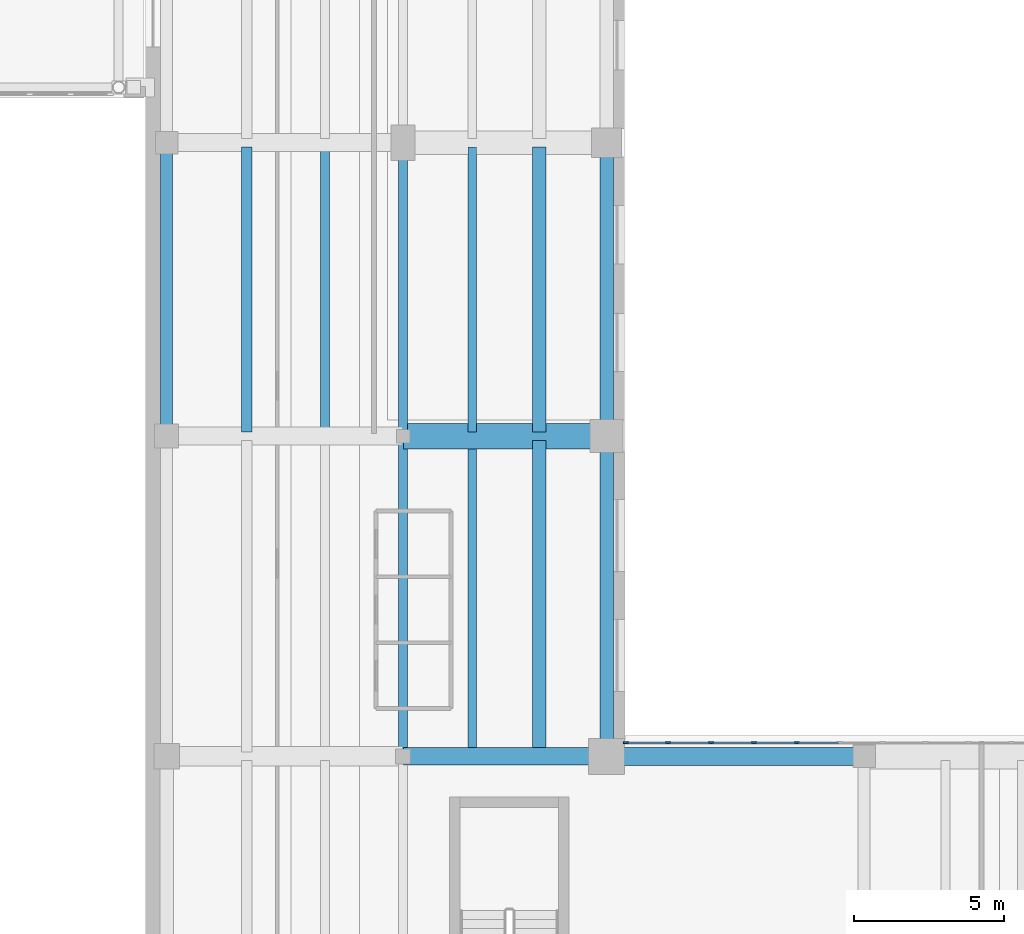
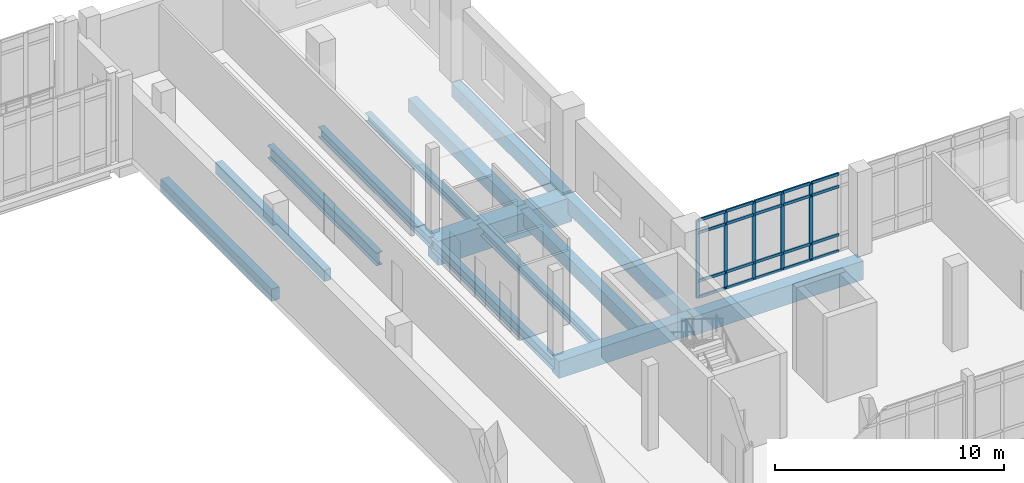
# One storey, part 18 of 89: 25 members, 14 beams, 1 element without a shape of its own.
"""IFC4 building model written with IfcOpenShell, lengths in metres."""

from ifc_helpers import new_model, si_unit, direction, frame, origin, origin_2d, place, context, subcontext, project, spatial, rectangle, i_section, extrude, material, material_profile, profile_set, type_object, element, aggregate, save


model = new_model("IFC4")

# Units and contexts
model_context = context("Model", 3, precision=1e-05, world=origin(), true_north=direction((0.0, 1.0)))
body_context = subcontext(model_context, "Body", "Model", "MODEL_VIEW")
ifc_project = project(units=[si_unit("LENGTHUNIT", "METRE"), si_unit("AREAUNIT", "SQUARE_METRE"), si_unit("VOLUMEUNIT", "CUBIC_METRE"), si_unit("PLANEANGLEUNIT", "RADIAN"), si_unit("MASSUNIT", "GRAM", prefix="KILO")], contexts=[model_context])

# Site, building, storey
site_placement = place(None, origin())
site = spatial("IfcSite", under=ifc_project, at=site_placement, CompositionType="ELEMENT")
building_placement = place(site_placement, origin())
building = spatial("IfcBuilding", under=site, at=building_placement, Name="Soyqirgoq Riverine Aquarium", CompositionType="ELEMENT")
storey_placement = place(building_placement, frame((0.0, 0.0, 5.39990234375)))
storey = spatial("IfcBuildingStorey", under=building, at=storey_placement, Name="L02", CompositionType="ELEMENT", Elevation=5.39990234375)

# Beams
ifc_material_1 = material(Name="Concrete C40/50", Category="concrete")
ifc_material_profile_1 = material_profile(ifc_material_1, rectangle(XDim=0.35009765625, YDim=0.60009765625, at=origin_2d()), Name="RC 350x600")
ifc_profile_set_1 = profile_set([ifc_material_profile_1], Name="Concrete C40/50")
beam_type_1 = type_object("IfcBeamType", Name="Beam_RC_350x600", PredefinedType="JOIST", material=ifc_profile_set_1)
beam_1_placement = place(storey_placement, frame((117.385986328125, 28.639892578125, -0.64990234375), z_axis=(0.0, 1.0, 0.0), x_axis=(-1.0, 0.0, 0.0)))
element("IfcBeam", 1, at=beam_1_placement, inside=storey, type_object=beam_type_1, Name="V6 L02 Secondary Bay Joist 1146", PredefinedType="JOIST", context=body_context, shape_type="SweptSolid", body=[
    extrude(rectangle(XDim=0.35009765625, YDim=0.60009765625, at=origin_2d()), origin(), (0.0, 0.0, 1.0), 9.52001953125),
])
ifc_material_2 = material(Name="Concrete C40/50", Category="concrete")
ifc_material_profile_2 = material_profile(ifc_material_2, rectangle(XDim=0.39990234375, YDim=0.64990234375, at=origin_2d()), Name="RC 400x650")
ifc_profile_set_2 = profile_set([ifc_material_profile_2], Name="Concrete C40/50")
beam_type_2 = type_object("IfcBeamType", Name="Beam_RC_400x650", PredefinedType="BEAM", material=ifc_profile_set_2)
beam_2_placement = place(storey_placement, frame((114.699951171875, 28.550048828125, -0.6748046875), z_axis=(0.0, 1.0, 0.0), x_axis=(-1.0, 0.0, 0.0)))
element("IfcBeam", 2, at=beam_2_placement, inside=storey, type_object=beam_type_2, Name="V6 L02 North-South Frame Beam 1088", PredefinedType="BEAM", context=body_context, shape_type="SweptSolid", body=[
    extrude(rectangle(XDim=0.39990234375, YDim=0.64990234375, at=origin_2d()), origin(), (0.0, 0.0, 1.0), 9.699951171875),
])
ifc_material_3 = material(Name="Concrete C40/50", Category="concrete")
ifc_material_profile_3 = material_profile(ifc_material_3, rectangle(XDim=0.449951171875, YDim=0.699951171875, at=origin_2d()), Name="RC 450x700")
ifc_profile_set_3 = profile_set([ifc_material_profile_3], Name="Concrete C40/50")
beam_type_3 = type_object("IfcBeamType", Name="Beam_RC_450x700", PredefinedType="BEAM", material=ifc_profile_set_3)
beam_3_placement = place(storey_placement, frame((127.156005859375, 17.93994140625, -0.699951171875), z_axis=(0.0, 1.0, 0.0), x_axis=(-1.0, 0.0, 0.0)))
element("IfcBeam", 3, at=beam_3_placement, inside=storey, type_object=beam_type_3, Name="V6 L02 Secondary Bay Joist 1145", PredefinedType="BEAM", context=body_context, shape_type="SweptSolid", body=[
    extrude(rectangle(XDim=0.449951171875, YDim=0.699951171875, at=origin_2d()), origin(), (0.0, 0.0, 1.0), 10.420166015625),
])
beam_4_placement = place(storey_placement, frame((127.156005859375, 28.639892578125, -0.699951171875), z_axis=(0.0, 1.0, 0.0), x_axis=(-1.0, 0.0, 0.0)))
element("IfcBeam", 4, at=beam_4_placement, inside=storey, type_object=beam_type_3, Name="V6 L02 Secondary Bay Joist 1149", PredefinedType="BEAM", context=body_context, shape_type="SweptSolid", body=[
    extrude(rectangle(XDim=0.449951171875, YDim=0.699951171875, at=origin_2d()), origin(), (0.0, 0.0, 1.0), 9.52001953125),
])
ifc_material_4 = material(Name="Concrete C40/50", Category="concrete")
ifc_material_profile_4 = material_profile(ifc_material_4, rectangle(XDim=0.449951171875, YDim=0.75, at=origin_2d()), Name="RC 450x750")
ifc_profile_set_4 = profile_set([ifc_material_profile_4], Name="Concrete C40/50")
beam_type_4 = type_object("IfcBeamType", Name="Beam_RC_450x750", PredefinedType="BEAM", material=ifc_profile_set_4)
beam_5_placement = place(storey_placement, frame((129.39990234375, 28.550048828125, -0.724853515625), z_axis=(0.0, 1.0, 0.0), x_axis=(-1.0, 0.0, 0.0)))
element("IfcBeam", 5, at=beam_5_placement, inside=storey, type_object=beam_type_4, Name="V6 L02 North-South Frame Beam 1110", PredefinedType="BEAM", context=body_context, shape_type="SweptSolid", body=[
    extrude(rectangle(XDim=0.449951171875, YDim=0.75, at=origin_2d()), origin(), (0.0, 0.0, 1.0), 9.699951171875),
])
ifc_material_5 = material(Name="Concrete C40/50", Category="concrete")
ifc_material_profile_5 = material_profile(ifc_material_5, rectangle(XDim=0.449951171875, YDim=0.800048828125, at=origin_2d()), Name="RC 450x800")
ifc_profile_set_5 = profile_set([ifc_material_profile_5], Name="Concrete C40/50")
beam_type_5 = type_object("IfcBeamType", Name="Beam_RC_450x800", PredefinedType="BEAM", material=ifc_profile_set_5)
beam_6_placement = place(storey_placement, frame((129.39990234375, 17.85009765625, -0.75), z_axis=(0.0, 1.0, 0.0), x_axis=(-1.0, 0.0, 0.0)))
element("IfcBeam", 6, at=beam_6_placement, inside=storey, type_object=beam_type_5, Name="V6 L02 North-South Frame Beam 1108", PredefinedType="BEAM", context=body_context, shape_type="SweptSolid", body=[
    extrude(rectangle(XDim=0.449951171875, YDim=0.800048828125, at=origin_2d()), origin(), (0.0, 0.0, 1.0), 10.599853515625),
])

# Curtain wall, members
ifc_material_6 = material(Name="Anodised aluminium thermally broken gallery curtain wall", Category="aluminium")
curtain_wall_type = type_object("IfcCurtainWallType", Name="CW_Pavilion_Ribbon", PredefinedType="NOTDEFINED", material=ifc_material_6)
curtain_wall_placement = place(storey_placement, origin())
curtain_wall = element("IfcCurtainWall", 7, at=curtain_wall_placement, inside=storey, type_object=curtain_wall_type, Name="V6 L02 Curtain Wall 112", PredefinedType="NOTDEFINED")
ifc_material_7 = material(Name="Anodised aluminium 6063-T6", Category="aluminium")
ifc_material_profile_6 = material_profile(ifc_material_7, rectangle(XDim=0.06494140625, YDim=0.179931640625, at=origin_2d()), Name="ALU-M 65x180")
ifc_profile_set_6 = profile_set([ifc_material_profile_6], Name="Anodised aluminium 6063-T6")
member_type_1 = type_object("IfcMemberType", Name="CWMullion_65x180", PredefinedType="MULLION", material=ifc_profile_set_6)
member_1_placement = place(storey_placement, frame((130.052490234375, 18.25, 0.0), z_axis=(0.0, 0.0, 1.0), x_axis=(0.0, 1.0, 0.0)))
member_1 = element("IfcMember", 8, at=member_1_placement, type_object=member_type_1, Name="CW-05 mullion 1", PredefinedType="MULLION", context=body_context, shape_type="SweptSolid", body=[
    extrude(rectangle(XDim=0.06494140625, YDim=0.179931640625, at=origin_2d()), origin(), (0.0, 0.0, 1.0), 4.170166015625),
])
member_2_placement = place(storey_placement, frame((131.453125, 18.25, 0.0), z_axis=(0.0, 0.0, 1.0), x_axis=(0.0, 1.0, 0.0)))
member_2 = element("IfcMember", 9, at=member_2_placement, type_object=member_type_1, Name="CW-05 mullion 2", PredefinedType="MULLION", context=body_context, shape_type="SweptSolid", body=[
    extrude(rectangle(XDim=0.06494140625, YDim=0.179931640625, at=origin_2d()), origin(), (0.0, 0.0, 1.0), 4.170166015625),
])
member_3_placement = place(storey_placement, frame((132.885986328125, 18.25, 0.0), z_axis=(0.0, 0.0, 1.0), x_axis=(0.0, 1.0, 0.0)))
member_3 = element("IfcMember", 10, at=member_3_placement, type_object=member_type_1, Name="CW-05 mullion 3", PredefinedType="MULLION", context=body_context, shape_type="SweptSolid", body=[
    extrude(rectangle(XDim=0.06494140625, YDim=0.179931640625, at=origin_2d()), origin(), (0.0, 0.0, 1.0), 4.170166015625),
])
member_4_placement = place(storey_placement, frame((134.319091796875, 18.25, 0.0), z_axis=(0.0, 0.0, 1.0), x_axis=(0.0, 1.0, 0.0)))
member_4 = element("IfcMember", 11, at=member_4_placement, type_object=member_type_1, Name="CW-05 mullion 4", PredefinedType="MULLION", context=body_context, shape_type="SweptSolid", body=[
    extrude(rectangle(XDim=0.06494140625, YDim=0.179931640625, at=origin_2d()), origin(), (0.0, 0.0, 1.0), 4.170166015625),
])
member_5_placement = place(storey_placement, frame((135.752197265625, 18.25, 0.0), z_axis=(0.0, 0.0, 1.0), x_axis=(0.0, 1.0, 0.0)))
member_5 = element("IfcMember", 12, at=member_5_placement, type_object=member_type_1, Name="CW-05 mullion 5", PredefinedType="MULLION", context=body_context, shape_type="SweptSolid", body=[
    extrude(rectangle(XDim=0.06494140625, YDim=0.179931640625, at=origin_2d()), origin(), (0.0, 0.0, 1.0), 4.170166015625),
])
ifc_material_8 = material(Name="Anodised aluminium 6063-T6", Category="aluminium")
ifc_material_profile_7 = material_profile(ifc_material_8, rectangle(XDim=0.074951171875, YDim=0.14990234375, at=origin_2d()), Name="ALU-T 75x150")
ifc_profile_set_7 = profile_set([ifc_material_profile_7], Name="Anodised aluminium 6063-T6")
member_type_2 = type_object("IfcMemberType", Name="CWTransom_75x150", PredefinedType="USERDEFINED", material=ifc_profile_set_7)
member_6_placement = place(storey_placement, frame((130.0849609375, 18.25, 0.03759765625), z_axis=(1.0, 0.0, 0.0), x_axis=(0.0, 1.0, 0.0)))
member_6 = element("IfcMember", 13, at=member_6_placement, type_object=member_type_2, Name="CW-05 transom 1.1", ObjectType="TRANSOM", PredefinedType="USERDEFINED", context=body_context, shape_type="SweptSolid", body=[
    extrude(rectangle(XDim=0.074951171875, YDim=0.14990234375, at=origin_2d()), origin(), (0.0, 0.0, 1.0), 1.335693359375),
])
member_7_placement = place(storey_placement, frame((130.0849609375, 18.25, 0.900146484375), z_axis=(1.0, 0.0, 0.0), x_axis=(0.0, 1.0, 0.0)))
member_7 = element("IfcMember", 14, at=member_7_placement, type_object=member_type_2, Name="CW-05 transom 1.2", ObjectType="TRANSOM", PredefinedType="USERDEFINED", context=body_context, shape_type="SweptSolid", body=[
    extrude(rectangle(XDim=0.074951171875, YDim=0.14990234375, at=origin_2d()), origin(), (0.0, 0.0, 1.0), 1.335693359375),
])
member_8_placement = place(storey_placement, frame((130.0849609375, 18.25, 3.47021484375), z_axis=(1.0, 0.0, 0.0), x_axis=(0.0, 1.0, 0.0)))
member_8 = element("IfcMember", 15, at=member_8_placement, type_object=member_type_2, Name="CW-05 transom 1.3", ObjectType="TRANSOM", PredefinedType="USERDEFINED", context=body_context, shape_type="SweptSolid", body=[
    extrude(rectangle(XDim=0.074951171875, YDim=0.14990234375, at=origin_2d()), origin(), (0.0, 0.0, 1.0), 1.335693359375),
])
member_9_placement = place(storey_placement, frame((130.0849609375, 18.25, 4.132568359375), z_axis=(1.0, 0.0, 0.0), x_axis=(0.0, 1.0, 0.0)))
member_9 = element("IfcMember", 16, at=member_9_placement, type_object=member_type_2, Name="CW-05 transom 1.4", ObjectType="TRANSOM", PredefinedType="USERDEFINED", context=body_context, shape_type="SweptSolid", body=[
    extrude(rectangle(XDim=0.074951171875, YDim=0.14990234375, at=origin_2d()), origin(), (0.0, 0.0, 1.0), 1.335693359375),
])
member_10_placement = place(storey_placement, frame((131.485595703125, 18.25, 0.03759765625), z_axis=(1.0, 0.0, 0.0), x_axis=(0.0, 1.0, 0.0)))
member_10 = element("IfcMember", 17, at=member_10_placement, type_object=member_type_2, Name="CW-05 transom 2.1", ObjectType="TRANSOM", PredefinedType="USERDEFINED", context=body_context, shape_type="SweptSolid", body=[
    extrude(rectangle(XDim=0.074951171875, YDim=0.14990234375, at=origin_2d()), origin(), (0.0, 0.0, 1.0), 1.367919921875),
])
member_11_placement = place(storey_placement, frame((131.485595703125, 18.25, 0.900146484375), z_axis=(1.0, 0.0, 0.0), x_axis=(0.0, 1.0, 0.0)))
member_11 = element("IfcMember", 18, at=member_11_placement, type_object=member_type_2, Name="CW-05 transom 2.2", ObjectType="TRANSOM", PredefinedType="USERDEFINED", context=body_context, shape_type="SweptSolid", body=[
    extrude(rectangle(XDim=0.074951171875, YDim=0.14990234375, at=origin_2d()), origin(), (0.0, 0.0, 1.0), 1.367919921875),
])
member_12_placement = place(storey_placement, frame((131.485595703125, 18.25, 3.47021484375), z_axis=(1.0, 0.0, 0.0), x_axis=(0.0, 1.0, 0.0)))
member_12 = element("IfcMember", 19, at=member_12_placement, type_object=member_type_2, Name="CW-05 transom 2.3", ObjectType="TRANSOM", PredefinedType="USERDEFINED", context=body_context, shape_type="SweptSolid", body=[
    extrude(rectangle(XDim=0.074951171875, YDim=0.14990234375, at=origin_2d()), origin(), (0.0, 0.0, 1.0), 1.367919921875),
])
member_13_placement = place(storey_placement, frame((131.485595703125, 18.25, 4.132568359375), z_axis=(1.0, 0.0, 0.0), x_axis=(0.0, 1.0, 0.0)))
member_13 = element("IfcMember", 20, at=member_13_placement, type_object=member_type_2, Name="CW-05 transom 2.4", ObjectType="TRANSOM", PredefinedType="USERDEFINED", context=body_context, shape_type="SweptSolid", body=[
    extrude(rectangle(XDim=0.074951171875, YDim=0.14990234375, at=origin_2d()), origin(), (0.0, 0.0, 1.0), 1.367919921875),
])
member_14_placement = place(storey_placement, frame((132.918701171875, 18.25, 0.03759765625), z_axis=(1.0, 0.0, 0.0), x_axis=(0.0, 1.0, 0.0)))
member_14 = element("IfcMember", 21, at=member_14_placement, type_object=member_type_2, Name="CW-05 transom 3.1", ObjectType="TRANSOM", PredefinedType="USERDEFINED", context=body_context, shape_type="SweptSolid", body=[
    extrude(rectangle(XDim=0.074951171875, YDim=0.14990234375, at=origin_2d()), origin(), (0.0, 0.0, 1.0), 1.367919921875),
])
member_15_placement = place(storey_placement, frame((132.918701171875, 18.25, 0.900146484375), z_axis=(1.0, 0.0, 0.0), x_axis=(0.0, 1.0, 0.0)))
member_15 = element("IfcMember", 22, at=member_15_placement, type_object=member_type_2, Name="CW-05 transom 3.2", ObjectType="TRANSOM", PredefinedType="USERDEFINED", context=body_context, shape_type="SweptSolid", body=[
    extrude(rectangle(XDim=0.074951171875, YDim=0.14990234375, at=origin_2d()), origin(), (0.0, 0.0, 1.0), 1.367919921875),
])
member_16_placement = place(storey_placement, frame((132.918701171875, 18.25, 3.47021484375), z_axis=(1.0, 0.0, 0.0), x_axis=(0.0, 1.0, 0.0)))
member_16 = element("IfcMember", 23, at=member_16_placement, type_object=member_type_2, Name="CW-05 transom 3.3", ObjectType="TRANSOM", PredefinedType="USERDEFINED", context=body_context, shape_type="SweptSolid", body=[
    extrude(rectangle(XDim=0.074951171875, YDim=0.14990234375, at=origin_2d()), origin(), (0.0, 0.0, 1.0), 1.367919921875),
])
member_17_placement = place(storey_placement, frame((132.918701171875, 18.25, 4.132568359375), z_axis=(1.0, 0.0, 0.0), x_axis=(0.0, 1.0, 0.0)))
member_17 = element("IfcMember", 24, at=member_17_placement, type_object=member_type_2, Name="CW-05 transom 3.4", ObjectType="TRANSOM", PredefinedType="USERDEFINED", context=body_context, shape_type="SweptSolid", body=[
    extrude(rectangle(XDim=0.074951171875, YDim=0.14990234375, at=origin_2d()), origin(), (0.0, 0.0, 1.0), 1.367919921875),
])
member_18_placement = place(storey_placement, frame((134.3515625, 18.25, 0.03759765625), z_axis=(1.0, 0.0, 0.0), x_axis=(0.0, 1.0, 0.0)))
member_18 = element("IfcMember", 25, at=member_18_placement, type_object=member_type_2, Name="CW-05 transom 4.1", ObjectType="TRANSOM", PredefinedType="USERDEFINED", context=body_context, shape_type="SweptSolid", body=[
    extrude(rectangle(XDim=0.074951171875, YDim=0.14990234375, at=origin_2d()), origin(), (0.0, 0.0, 1.0), 1.3681640625),
])
member_19_placement = place(storey_placement, frame((134.3515625, 18.25, 0.900146484375), z_axis=(1.0, 0.0, 0.0), x_axis=(0.0, 1.0, 0.0)))
member_19 = element("IfcMember", 26, at=member_19_placement, type_object=member_type_2, Name="CW-05 transom 4.2", ObjectType="TRANSOM", PredefinedType="USERDEFINED", context=body_context, shape_type="SweptSolid", body=[
    extrude(rectangle(XDim=0.074951171875, YDim=0.14990234375, at=origin_2d()), origin(), (0.0, 0.0, 1.0), 1.3681640625),
])
member_20_placement = place(storey_placement, frame((134.3515625, 18.25, 3.47021484375), z_axis=(1.0, 0.0, 0.0), x_axis=(0.0, 1.0, 0.0)))
member_20 = element("IfcMember", 27, at=member_20_placement, type_object=member_type_2, Name="CW-05 transom 4.3", ObjectType="TRANSOM", PredefinedType="USERDEFINED", context=body_context, shape_type="SweptSolid", body=[
    extrude(rectangle(XDim=0.074951171875, YDim=0.14990234375, at=origin_2d()), origin(), (0.0, 0.0, 1.0), 1.3681640625),
])
member_21_placement = place(storey_placement, frame((134.3515625, 18.25, 4.132568359375), z_axis=(1.0, 0.0, 0.0), x_axis=(0.0, 1.0, 0.0)))
member_21 = element("IfcMember", 28, at=member_21_placement, type_object=member_type_2, Name="CW-05 transom 4.4", ObjectType="TRANSOM", PredefinedType="USERDEFINED", context=body_context, shape_type="SweptSolid", body=[
    extrude(rectangle(XDim=0.074951171875, YDim=0.14990234375, at=origin_2d()), origin(), (0.0, 0.0, 1.0), 1.3681640625),
])
member_22_placement = place(storey_placement, frame((135.78466796875, 18.25, 0.03759765625), z_axis=(1.0, 0.0, 0.0), x_axis=(0.0, 1.0, 0.0)))
member_22 = element("IfcMember", 29, at=member_22_placement, type_object=member_type_2, Name="CW-05 transom 5.1", ObjectType="TRANSOM", PredefinedType="USERDEFINED", context=body_context, shape_type="SweptSolid", body=[
    extrude(rectangle(XDim=0.074951171875, YDim=0.14990234375, at=origin_2d()), origin(), (0.0, 0.0, 1.0), 1.3681640625),
])
member_23_placement = place(storey_placement, frame((135.78466796875, 18.25, 0.900146484375), z_axis=(1.0, 0.0, 0.0), x_axis=(0.0, 1.0, 0.0)))
member_23 = element("IfcMember", 30, at=member_23_placement, type_object=member_type_2, Name="CW-05 transom 5.2", ObjectType="TRANSOM", PredefinedType="USERDEFINED", context=body_context, shape_type="SweptSolid", body=[
    extrude(rectangle(XDim=0.074951171875, YDim=0.14990234375, at=origin_2d()), origin(), (0.0, 0.0, 1.0), 1.3681640625),
])
member_24_placement = place(storey_placement, frame((135.78466796875, 18.25, 3.47021484375), z_axis=(1.0, 0.0, 0.0), x_axis=(0.0, 1.0, 0.0)))
member_24 = element("IfcMember", 31, at=member_24_placement, type_object=member_type_2, Name="CW-05 transom 5.3", ObjectType="TRANSOM", PredefinedType="USERDEFINED", context=body_context, shape_type="SweptSolid", body=[
    extrude(rectangle(XDim=0.074951171875, YDim=0.14990234375, at=origin_2d()), origin(), (0.0, 0.0, 1.0), 1.3681640625),
])
member_25_placement = place(storey_placement, frame((135.78466796875, 18.25, 4.132568359375), z_axis=(1.0, 0.0, 0.0), x_axis=(0.0, 1.0, 0.0)))
member_25 = element("IfcMember", 32, at=member_25_placement, type_object=member_type_2, Name="CW-05 transom 5.4", ObjectType="TRANSOM", PredefinedType="USERDEFINED", context=body_context, shape_type="SweptSolid", body=[
    extrude(rectangle(XDim=0.074951171875, YDim=0.14990234375, at=origin_2d()), origin(), (0.0, 0.0, 1.0), 1.3681640625),
])
aggregate(curtain_wall, [member_1, member_2, member_3, member_4, member_5, member_6, member_7, member_8, member_9, member_10, member_11, member_12, member_13, member_14, member_15, member_16, member_17, member_18, member_19, member_20, member_21, member_22, member_23, member_24, member_25])

# Beams
ifc_material_9 = material(Name="Concrete C40/50", Category="concrete")
ifc_material_profile_8 = material_profile(ifc_material_9, rectangle(XDim=0.580078125, YDim=0.919921875, at=origin_2d()), Name="RC 580x920")
ifc_profile_set_8 = profile_set([ifc_material_profile_8], Name="Concrete C40/50")
beam_type_6 = type_object("IfcBeamType", Name="Girder_RC_580x920", PredefinedType="BEAM", material=ifc_profile_set_8)
beam_7_placement = place(storey_placement, frame((122.6201171875, 17.800048828125, -0.809814453125), z_axis=(1.0, 0.0, 0.0), x_axis=(0.0, 1.0, 0.0)))
element("IfcBeam", 33, at=beam_7_placement, inside=storey, type_object=beam_type_6, Name="V6 L02 East-West Frame Girder 1099", PredefinedType="BEAM", context=body_context, shape_type="SweptSolid", body=[
    extrude(rectangle(XDim=0.580078125, YDim=0.919921875, at=origin_2d()), origin(), (0.0, 0.0, 1.0), 6.759765625),
])
ifc_material_10 = material(Name="Concrete C40/50", Category="concrete")
ifc_material_profile_9 = material_profile(ifc_material_10, rectangle(XDim=0.60009765625, YDim=1.0, at=origin_2d()), Name="RC 600x1000")
ifc_profile_set_9 = profile_set([ifc_material_profile_9], Name="Concrete C40/50")
beam_type_7 = type_object("IfcBeamType", Name="Girder_RC_600x1000", PredefinedType="BEAM", material=ifc_profile_set_9)
beam_8_placement = place(storey_placement, frame((129.419921875, 17.800048828125, -0.849853515625), z_axis=(1.0, 0.0, 0.0), x_axis=(0.0, 1.0, 0.0)))
element("IfcBeam", 34, at=beam_8_placement, inside=storey, type_object=beam_type_7, Name="V6 L02 East-West Frame Girder 1109", PredefinedType="BEAM", context=body_context, shape_type="SweptSolid", body=[
    extrude(rectangle(XDim=0.60009765625, YDim=1.0, at=origin_2d()), origin(), (0.0, 0.0, 1.0), 8.56005859375),
])
ifc_material_11 = material(Name="Concrete C40/50", Category="concrete")
ifc_material_profile_10 = material_profile(ifc_material_11, rectangle(XDim=0.85009765625, YDim=1.300048828125, at=origin_2d()), Name="RC 850x1300")
ifc_profile_set_10 = profile_set([ifc_material_profile_10], Name="Concrete C40/50")
beam_type_8 = type_object("IfcBeamType", Name="Girder_RC_850x1300", PredefinedType="BEAM", material=ifc_profile_set_10)
beam_9_placement = place(storey_placement, frame((122.6201171875, 28.5, -1.0), z_axis=(1.0, 0.0, 0.0), x_axis=(0.0, 1.0, 0.0)))
element("IfcBeam", 35, at=beam_9_placement, inside=storey, type_object=beam_type_8, Name="V6 L02 East-West Frame Girder 1101", PredefinedType="BEAM", context=body_context, shape_type="SweptSolid", body=[
    extrude(rectangle(XDim=0.85009765625, YDim=1.300048828125, at=origin_2d()), origin(), (0.0, 0.0, 1.0), 6.759765625),
])
ifc_material_12 = material(Name="Structural steel S355", Category="steel")
ifc_material_profile_11 = material_profile(ifc_material_12, i_section(OverallWidth=0.300048828125, OverallDepth=0.43994140625, WebThickness=0.011474609375, FlangeThickness=0.02099609375, FilletRadius=0.027099609375, at=origin_2d()), Name="HEA 450")
ifc_profile_set_11 = profile_set([ifc_material_profile_11], Name="Structural steel S355")
beam_type_9 = type_object("IfcBeamType", Name="SteelBeam_HEA450", PredefinedType="BEAM", material=ifc_profile_set_11)
beam_10_placement = place(storey_placement, frame((124.912109375, 17.93994140625, -0.56982421875), z_axis=(0.0, 1.0, 0.0), x_axis=(-1.0, 0.0, 0.0)))
element("IfcBeam", 36, at=beam_10_placement, inside=storey, type_object=beam_type_9, Name="V6 L02 Secondary Bay Joist 1144", PredefinedType="BEAM", context=body_context, shape_type="SweptSolid", body=[
    extrude(i_section(OverallWidth=0.300048828125, OverallDepth=0.43994140625, WebThickness=0.011474609375, FlangeThickness=0.02099609375, FilletRadius=0.027099609375, at=origin_2d()), origin(), (0.0, 0.0, 1.0), 10.420166015625),
])
beam_11_placement = place(storey_placement, frame((124.912109375, 28.639892578125, -0.56982421875), z_axis=(0.0, 1.0, 0.0), x_axis=(-1.0, 0.0, 0.0)))
element("IfcBeam", 37, at=beam_11_placement, inside=storey, type_object=beam_type_9, Name="V6 L02 Secondary Bay Joist 1148", PredefinedType="BEAM", context=body_context, shape_type="SweptSolid", body=[
    extrude(i_section(OverallWidth=0.300048828125, OverallDepth=0.43994140625, WebThickness=0.011474609375, FlangeThickness=0.02099609375, FilletRadius=0.027099609375, at=origin_2d()), origin(), (0.0, 0.0, 1.0), 9.52001953125),
])
ifc_material_13 = material(Name="Structural steel S355", Category="steel")
ifc_material_profile_12 = material_profile(ifc_material_13, i_section(OverallWidth=0.300048828125, OverallDepth=0.5400390625, WebThickness=0.012451171875, FlangeThickness=0.02392578125, FilletRadius=0.027099609375, at=origin_2d()), Name="HEA 550")
ifc_profile_set_12 = profile_set([ifc_material_profile_12], Name="Structural steel S355")
beam_type_10 = type_object("IfcBeamType", Name="SteelBeam_HEA550", PredefinedType="BEAM", material=ifc_profile_set_12)
beam_12_placement = place(storey_placement, frame((122.60009765625, 28.550048828125, -0.619873046875), z_axis=(0.0, 1.0, 0.0), x_axis=(-1.0, 0.0, 0.0)))
element("IfcBeam", 38, at=beam_12_placement, inside=storey, type_object=beam_type_10, Name="V6 L02 North-South Frame Beam 1100", PredefinedType="BEAM", context=body_context, shape_type="SweptSolid", body=[
    extrude(i_section(OverallWidth=0.300048828125, OverallDepth=0.5400390625, WebThickness=0.012451171875, FlangeThickness=0.02392578125, FilletRadius=0.027099609375, at=origin_2d()), origin(), (0.0, 0.0, 1.0), 9.699951171875),
])
ifc_material_14 = material(Name="Structural steel S355", Category="steel")
ifc_material_profile_13 = material_profile(ifc_material_14, i_section(OverallWidth=0.300048828125, OverallDepth=0.590087890625, WebThickness=0.012939453125, FlangeThickness=0.02490234375, FilletRadius=0.027099609375, at=origin_2d()), Name="HEA 600")
ifc_profile_set_13 = profile_set([ifc_material_profile_13], Name="Structural steel S355")
beam_type_11 = type_object("IfcBeamType", Name="SteelBeam_HEA600", PredefinedType="BEAM", material=ifc_profile_set_13)
beam_13_placement = place(storey_placement, frame((122.60009765625, 17.85009765625, -0.64501953125), z_axis=(0.0, 1.0, 0.0), x_axis=(-1.0, 0.0, 0.0)))
element("IfcBeam", 39, at=beam_13_placement, inside=storey, type_object=beam_type_11, Name="V6 L02 North-South Frame Beam 1098", PredefinedType="BEAM", context=body_context, shape_type="SweptSolid", body=[
    extrude(i_section(OverallWidth=0.300048828125, OverallDepth=0.590087890625, WebThickness=0.012939453125, FlangeThickness=0.02490234375, FilletRadius=0.027099609375, at=origin_2d()), origin(), (0.0, 0.0, 1.0), 10.599853515625),
])
ifc_material_15 = material(Name="Structural steel S355", Category="steel")
ifc_material_profile_14 = material_profile(ifc_material_15, i_section(OverallWidth=0.300048828125, OverallDepth=0.68994140625, WebThickness=0.014404296875, FlangeThickness=0.027099609375, FilletRadius=0.027099609375, at=origin_2d()), Name="HEA 700")
ifc_profile_set_14 = profile_set([ifc_material_profile_14], Name="Structural steel S355")
beam_type_12 = type_object("IfcBeamType", Name="SteelBeam_HEA700", PredefinedType="BEAM", material=ifc_profile_set_14)
beam_14_placement = place(storey_placement, frame((119.992919921875, 28.639892578125, -0.69482421875), z_axis=(0.0, 1.0, 0.0), x_axis=(-1.0, 0.0, 0.0)))
element("IfcBeam", 40, at=beam_14_placement, inside=storey, type_object=beam_type_12, Name="V6 L02 Secondary Bay Joist 1147", PredefinedType="BEAM", context=body_context, shape_type="SweptSolid", body=[
    extrude(i_section(OverallWidth=0.300048828125, OverallDepth=0.68994140625, WebThickness=0.014404296875, FlangeThickness=0.027099609375, FilletRadius=0.027099609375, at=origin_2d()), origin(), (0.0, 0.0, 1.0), 9.52001953125),
])

save(model, "model.ifc")
